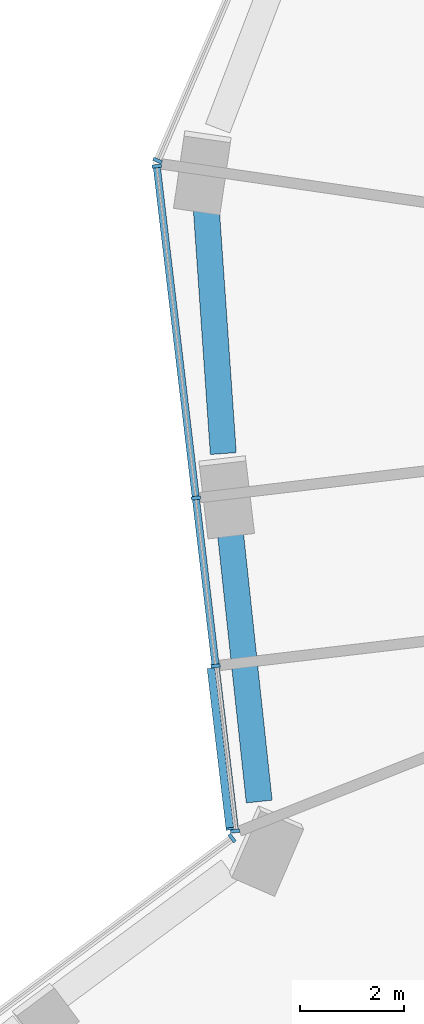
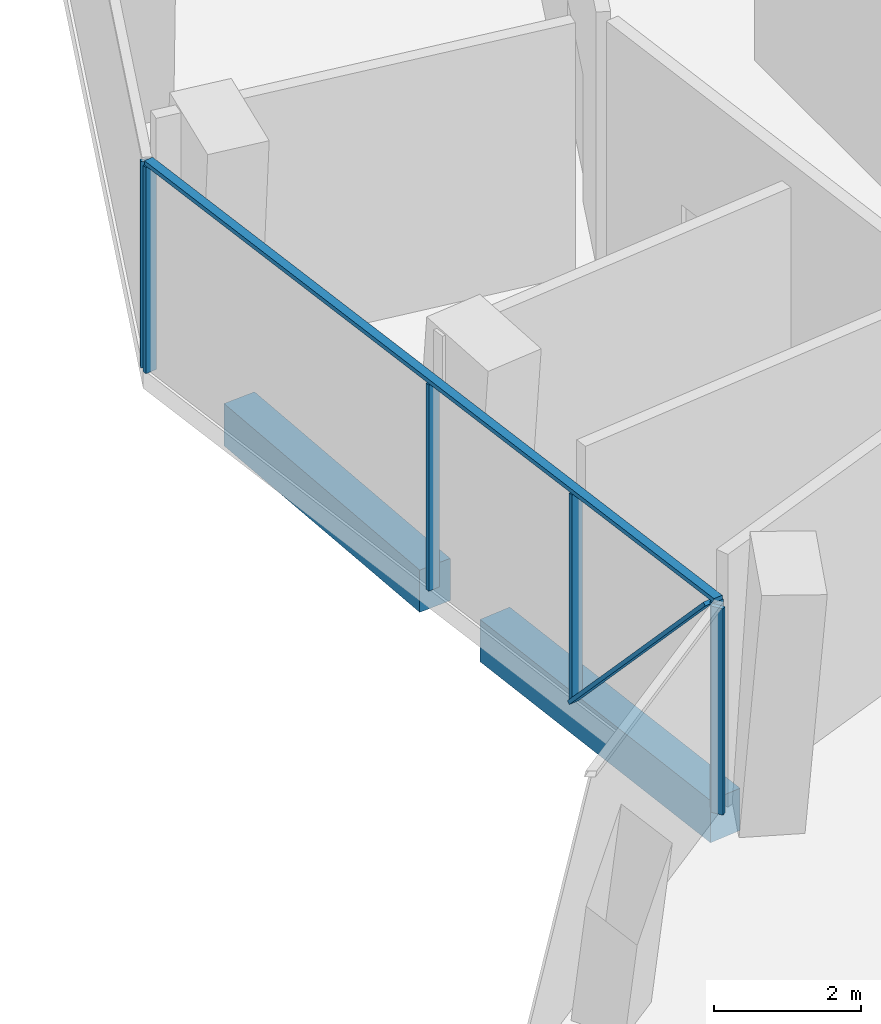
# One storey, part 3 of 17: 8 members, 2 beams, 3 elements without a shape of their own.
"""IFC4 building model written with IfcOpenShell, lengths in metres."""

from ifc_helpers import new_model, si_unit, direction, frame, origin, origin_2d, place, context, subcontext, project, spatial, rectangle, extrude, material, layer, layer_set, material_profile, profile_set, type_object, element, aggregate, save


model = new_model("IFC4")

# Units and contexts
model_context = context("Model", 3, precision=1e-05, world=origin(), true_north=direction((0.0, 1.0)))
body_context = subcontext(model_context, "Body", "Model", "MODEL_VIEW")
ifc_project = project(units=[si_unit("LENGTHUNIT", "METRE"), si_unit("AREAUNIT", "SQUARE_METRE"), si_unit("VOLUMEUNIT", "CUBIC_METRE"), si_unit("PLANEANGLEUNIT", "RADIAN"), si_unit("MASSUNIT", "GRAM", prefix="KILO")], contexts=[model_context])

# Site, building, storey
site_placement = place(None, origin())
site = spatial("IfcSite", under=ifc_project, at=site_placement, CompositionType="ELEMENT")
building_placement = place(site_placement, origin())
building = spatial("IfcBuilding", under=site, at=building_placement, Name="Verdalira Terraces Hotel", CompositionType="ELEMENT")
storey_placement = place(building_placement, frame((0.0, 0.0, 60.0)))
storey = spatial("IfcBuildingStorey", under=building, at=storey_placement, Name="L13", CompositionType="ELEMENT", Elevation=60.0)

# Curtain wall, member
ifc_material_1 = material(Name="Clear glass", Category="glass")
ifc_layer = layer(ifc_material_1, 0.179931640625)
ifc_layer_set = layer_set([ifc_layer], Name="CW4 curtain wall")
curtain_wall_type = type_object("IfcCurtainWallType", Name="CW4 curtain wall", PredefinedType="NOTDEFINED", material=ifc_layer_set)
curtain_wall_1_placement = place(storey_placement, origin())
curtain_wall_1 = element("IfcCurtainWall", 1, at=curtain_wall_1_placement, inside=storey, type_object=curtain_wall_type, Name="CW4 curtain wall L13 edge 12", PredefinedType="NOTDEFINED")
ifc_material_2 = material(Name="Terracotta frame", Category="masonry")
ifc_material_profile_1 = material_profile(ifc_material_2, rectangle(XDim=0.064941, YDim=0.179932, at=origin_2d()), Name="MU 65x180")
ifc_profile_set_1 = profile_set([ifc_material_profile_1], Name="Terracotta frame")
member_type_1 = type_object("IfcMemberType", Name="CW4 mullion 65x180", PredefinedType="MULLION", material=ifc_profile_set_1)
member_1_placement = place(storey_placement, frame((-24.768555, 3.659668, 0.0), z_axis=(0.0, 0.0, 1.0), x_axis=(-0.39522488, -0.918584397, 0.0)))
member_1 = element("IfcMember", 2, at=member_1_placement, type_object=member_type_1, Name="CW4 mullion", PredefinedType="MULLION", context=body_context, shape_type="SweptSolid", body=[
    extrude(rectangle(XDim=0.064941, YDim=0.179932, at=origin_2d()), origin(), (0.0, 0.0, 1.0), 3.419922),
])
aggregate(curtain_wall_1, [member_1])

# Curtain wall, members
curtain_wall_2_placement = place(storey_placement, origin())
curtain_wall_2 = element("IfcCurtainWall", 3, at=curtain_wall_2_placement, inside=storey, type_object=curtain_wall_type, Name="CW4 curtain wall L13 edge 13", PredefinedType="NOTDEFINED")
member_2_placement = place(storey_placement, frame((-24.78418, 3.551514, 0.0), z_axis=(0.0, 0.0, 1.0), x_axis=(0.117017412, -0.993129863, 0.0)))
member_2 = element("IfcMember", 4, at=member_2_placement, type_object=member_type_1, Name="CW4 mullion", PredefinedType="MULLION", context=body_context, shape_type="SweptSolid", body=[
    extrude(rectangle(XDim=0.064941, YDim=0.179932, at=origin_2d()), origin(), (0.0, 0.0, 1.0), 3.419922),
])
member_3_placement = place(storey_placement, frame((-24.031982, -2.831543, 0.0), z_axis=(0.0, 0.0, 1.0), x_axis=(0.117017412, -0.993129863, 0.0)))
member_3 = element("IfcMember", 5, at=member_3_placement, type_object=member_type_1, Name="CW4 mullion", PredefinedType="MULLION", context=body_context, shape_type="SweptSolid", body=[
    extrude(rectangle(XDim=0.064941, YDim=0.179932, at=origin_2d()), origin(), (0.0, 0.0, 1.0), 3.419922),
])
member_4_placement = place(storey_placement, frame((-23.651855, -6.059326, 0.0), z_axis=(0.0, 0.0, 1.0), x_axis=(0.117017412, -0.993129863, 0.0)))
member_4 = element("IfcMember", 6, at=member_4_placement, type_object=member_type_1, Name="CW4 mullion", PredefinedType="MULLION", context=body_context, shape_type="SweptSolid", body=[
    extrude(rectangle(XDim=0.064941, YDim=0.179932, at=origin_2d()), origin(), (0.0, 0.0, 1.0), 3.419922),
])
member_5_placement = place(storey_placement, frame((-23.277344, -9.237549, 0.0), z_axis=(0.0, 0.0, 1.0), x_axis=(0.117017412, -0.993129863, 0.0)))
member_5 = element("IfcMember", 7, at=member_5_placement, type_object=member_type_1, Name="CW4 mullion", PredefinedType="MULLION", context=body_context, shape_type="SweptSolid", body=[
    extrude(rectangle(XDim=0.064941, YDim=0.179932, at=origin_2d()), origin(), (0.0, 0.0, 1.0), 3.419922),
])

# Curtain wall, member
curtain_wall_3_placement = place(storey_placement, origin())
curtain_wall_3 = element("IfcCurtainWall", 8, at=curtain_wall_3_placement, inside=storey, type_object=curtain_wall_type, Name="CW4 curtain wall L13 edge 14", PredefinedType="NOTDEFINED")
member_6_placement = place(storey_placement, frame((-23.335205, -9.371826, 0.0), z_axis=(0.0, 0.0, 1.0), x_axis=(-0.801566985, -0.597904983, 0.0)))
member_6 = element("IfcMember", 9, at=member_6_placement, type_object=member_type_1, Name="CW4 mullion", PredefinedType="MULLION", context=body_context, shape_type="SweptSolid", body=[
    extrude(rectangle(XDim=0.064941, YDim=0.179932, at=origin_2d()), origin(), (0.0, 0.0, 1.0), 3.419922),
])
aggregate(curtain_wall_3, [member_6])

# Member
ifc_material_3 = material(Name="Terracotta frame", Category="masonry")
ifc_material_profile_2 = material_profile(ifc_material_3, rectangle(XDim=0.139893, YDim=0.070068, at=origin_2d()), Name="TR 70x140")
ifc_profile_set_2 = profile_set([ifc_material_profile_2], Name="Terracotta frame")
member_type_2 = type_object("IfcMemberType", Name="CW4 transom 70x140", PredefinedType="USERDEFINED", material=ifc_profile_set_2)
member_7_placement = place(storey_placement, frame((-24.788086, 3.58374, 3.455078), z_axis=(0.117029495, -0.99312844, 0.0), x_axis=(0.99312844, 0.117029495, 0.0)))
member_7 = element("IfcMember", 10, at=member_7_placement, type_object=member_type_2, Name="CW4 transom", ObjectType="TRANSOM", PredefinedType="USERDEFINED", context=body_context, shape_type="SweptSolid", body=[
    extrude(rectangle(XDim=0.139893, YDim=0.070068, at=origin_2d()), origin(), (0.0, 0.0, 1.0), 12.942383),
])

ifc_material_4 = material(Name="Terracotta frame", Category="masonry")
ifc_material_profile_3 = material_profile(ifc_material_4, rectangle(XDim=0.149902, YDim=0.060059, at=origin_2d()), Name="GB 60x150")
ifc_profile_set_3 = profile_set([ifc_material_profile_3], Name="Terracotta frame")
member_type_3 = type_object("IfcMemberType", Name="Diagonal glazing bar 60x150", PredefinedType="USERDEFINED", material=ifc_profile_set_3)
member_8_placement = place(storey_placement, frame((-23.737549, -6.125732, 0.025635), z_axis=(0.07906369, -0.671133203, 0.737108647), x_axis=(0.993132246, 0.116997192, 0.0)))
member_8 = element("IfcMember", 11, at=member_8_placement, type_object=member_type_3, Name="Diagonal glazing bar", ObjectType="GLAZING BAR", PredefinedType="USERDEFINED", context=body_context, shape_type="SweptSolid", body=[
    extrude(rectangle(XDim=0.149902, YDim=0.060059, at=origin_2d()), origin(), (0.0, 0.0, 1.0), 4.570068),
])

aggregate(curtain_wall_2, [member_2, member_3, member_4, member_5, member_7, member_8])

# Beams
ifc_material_5 = material(Name="Concrete C70", Category="concrete")
ifc_material_profile_4 = material_profile(ifc_material_5, rectangle(XDim=0.5, YDim=0.699951, at=origin_2d()), Name="RC 500X700")
ifc_profile_set_4 = profile_set([ifc_material_profile_4], Name="Concrete C70")
beam_type = type_object("IfcBeamType", Name="Spandrel beam RC 500X700 C70", PredefinedType="SPANDREL", material=ifc_profile_set_4)
beam_1_placement = place(storey_placement, frame((-23.833496, 2.770996, -0.659912), z_axis=(0.06930738, -0.997595352, 0.0), x_axis=(0.997595352, 0.06930738, 0.0)))
element("IfcBeam", 12, at=beam_1_placement, inside=storey, type_object=beam_type, Name="Spandrel beam B12", PredefinedType="SPANDREL", context=body_context, shape_type="SweptSolid", body=[
    extrude(rectangle(XDim=0.5, YDim=0.699951, at=origin_2d()), origin(), (0.0, 0.0, 1.0), 4.759033),
])
beam_2_placement = place(storey_placement, frame((-23.379395, -3.387207, -0.659912), z_axis=(0.106622373, -0.994299587, 0.0), x_axis=(0.994299587, 0.106622373, 0.0)))
element("IfcBeam", 13, at=beam_2_placement, inside=storey, type_object=beam_type, Name="Spandrel beam B13", PredefinedType="SPANDREL", context=body_context, shape_type="SweptSolid", body=[
    extrude(rectangle(XDim=0.5, YDim=0.699951, at=origin_2d()), origin(), (0.0, 0.0, 1.0), 5.312256),
])

save(model, "model.ifc")
